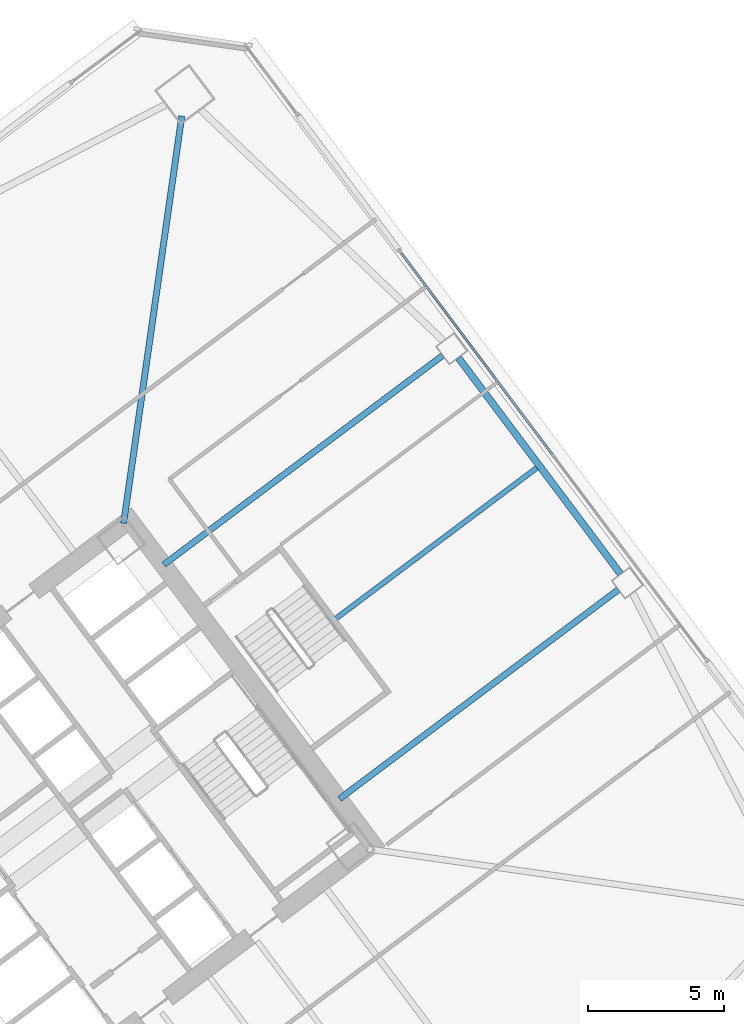
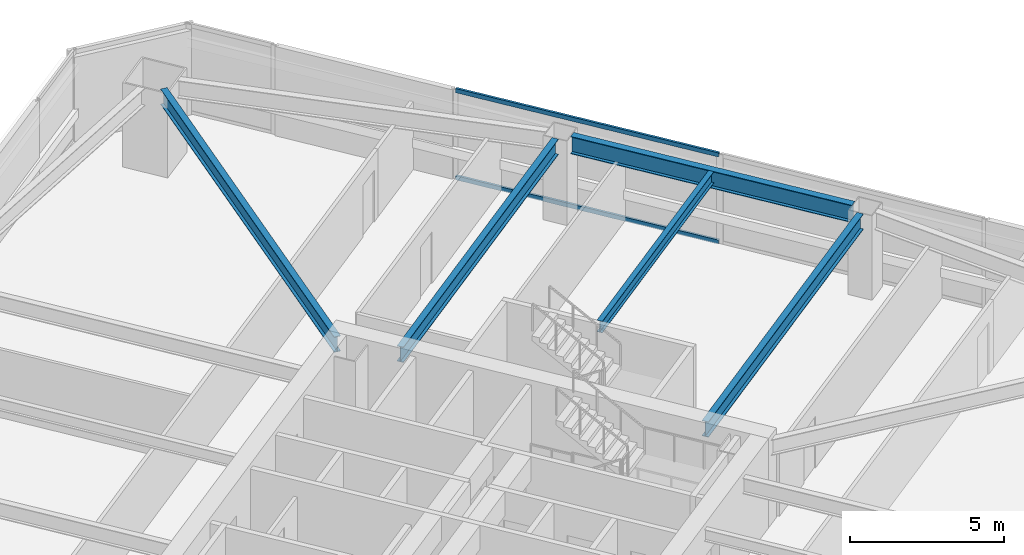
# One storey, part 34 of 51: 5 beams, 2 members, 1 element without a shape of its own.
"""IFC4 building model written with IfcOpenShell, lengths in metres."""

from ifc_helpers import new_model, si_unit, direction, frame, origin, origin_2d, place, context, subcontext, project, spatial, hollow_rectangle, i_section, extrude, material, material_profile, profile_set, type_object, element, aggregate, save


model = new_model("IFC4")

# Units and contexts
model_context = context("Model", 3, precision=1e-05, world=origin(), true_north=direction((0.0, 1.0)))
body_context = subcontext(model_context, "Body", "Model", "MODEL_VIEW")
ifc_project = project(units=[si_unit("LENGTHUNIT", "METRE"), si_unit("AREAUNIT", "SQUARE_METRE"), si_unit("VOLUMEUNIT", "CUBIC_METRE"), si_unit("PLANEANGLEUNIT", "RADIAN"), si_unit("MASSUNIT", "GRAM", prefix="KILO")], contexts=[model_context])

# Site, building, storey
site_placement = place(None, origin())
site = spatial("IfcSite", under=ifc_project, at=site_placement, CompositionType="ELEMENT")
building_placement = place(site_placement, origin())
building = spatial("IfcBuilding", under=site, at=building_placement, Name="Tashvorn Skyway Center", CompositionType="ELEMENT")
storey_placement = place(building_placement, frame((0.0, 0.0, 49.449951171875)))
storey = spatial("IfcBuildingStorey", under=building, at=storey_placement, Name="L12", CompositionType="ELEMENT", Elevation=49.449951171875)

# Beams
ifc_material_1 = material(Name="Steel ASTM A992 Grade 50", Category="steel")
ifc_material_profile_1 = material_profile(ifc_material_1, i_section(OverallWidth=0.22998046875, OverallDepth=0.616943359375, WebThickness=0.01318359375, FlangeThickness=0.022216796875, at=origin_2d()), Name="W24X94")
ifc_profile_set_1 = profile_set([ifc_material_profile_1], Name="Steel ASTM A992 Grade 50")
beam_type_1 = type_object("IfcBeamType", Name="BM-BEAM-W24X94", PredefinedType="BEAM", material=ifc_profile_set_1)
beam_1_placement = place(storey_placement, frame((117.6474609375, 57.532958984375, 3.04150390625), z_axis=(-0.141414599991, -0.989950458816, 0.0), x_axis=(0.989950458816, -0.141414599991, 0.0)))
element("IfcBeam", 1, at=beam_1_placement, inside=storey, type_object=beam_type_1, Name="Tower 2 L12 Primary Floor Girder MC-NE", PredefinedType="BEAM", context=body_context, shape_type="SweptSolid", body=[
    extrude(i_section(OverallWidth=0.22998046875, OverallDepth=0.616943359375, WebThickness=0.01318359375, FlangeThickness=0.022216796875, at=origin_2d()), origin(), (0.0, 0.0, 1.0), 15.177001953125),
])
beam_2_placement = place(storey_placement, frame((133.743896484375, 40.05810546875, 3.04150390625), z_axis=(-0.799986320265, -0.600018239213, 0.0), x_axis=(0.600018239213, -0.799986320265, 0.0)))
element("IfcBeam", 2, at=beam_2_placement, inside=storey, type_object=beam_type_1, Name="Tower 2 L12 Primary Floor Girder FC-E1", PredefinedType="BEAM", context=body_context, shape_type="SweptSolid", body=[
    extrude(i_section(OverallWidth=0.22998046875, OverallDepth=0.616943359375, WebThickness=0.01318359375, FlangeThickness=0.022216796875, at=origin_2d()), origin(), (0.0, 0.0, 1.0), 12.849853515625),
])
beam_3_placement = place(storey_placement, frame((127.263916015625, 48.697998046875, 3.04150390625), z_axis=(-0.800002279907, -0.599996960112, 0.0), x_axis=(0.599996960112, -0.800002279907, 0.0)))
element("IfcBeam", 3, at=beam_3_placement, inside=storey, type_object=beam_type_1, Name="Tower 2 L12 Primary Floor Girder FC-E2", PredefinedType="BEAM", context=body_context, shape_type="SweptSolid", body=[
    extrude(i_section(OverallWidth=0.22998046875, OverallDepth=0.616943359375, WebThickness=0.01318359375, FlangeThickness=0.022216796875, at=origin_2d()), origin(), (0.0, 0.0, 1.0), 12.85009765625),
])
ifc_material_profile_2 = material_profile(ifc_material_1, i_section(OverallWidth=0.19091796875, OverallDepth=0.4599609375, WebThickness=0.010009765625, FlangeThickness=0.01611328125, at=origin_2d()), Name="W18X55")
ifc_profile_set_2 = profile_set([ifc_material_profile_2], Name="Steel ASTM A992 Grade 50")
beam_type_2 = type_object("IfcBeamType", Name="BM-JOIST-W18X55", PredefinedType="JOIST", material=ifc_profile_set_2)
beam_4_placement = place(storey_placement, frame((123.3359375, 39.001953125, 3.1201171875), z_axis=(0.799990508532, 0.600012655082, 0.0), x_axis=(-0.600012655082, 0.799990508532, 0.0)))
element("IfcBeam", 4, at=beam_4_placement, inside=storey, type_object=beam_type_2, Name="Tower 2 L12 Secondary Composite Joist JE", PredefinedType="JOIST", context=body_context, shape_type="SweptSolid", body=[
    extrude(i_section(OverallWidth=0.19091796875, OverallDepth=0.4599609375, WebThickness=0.010009765625, FlangeThickness=0.01611328125, at=origin_2d()), origin(), (0.0, 0.0, 1.0), 9.260009765625),
])
ifc_material_profile_3 = material_profile(ifc_material_1, i_section(OverallWidth=0.256103515625, OverallDepth=0.693115234375, WebThickness=0.014404296875, FlangeThickness=0.023681640625, at=origin_2d()), Name="W27X114")
ifc_profile_set_3 = profile_set([ifc_material_profile_3], Name="Steel ASTM A992 Grade 50")
beam_type_3 = type_object("IfcBeamType", Name="BM-SPANDREL-W27X114", PredefinedType="SPANDREL", material=ifc_profile_set_3)
beam_5_placement = place(storey_placement, frame((133.827880859375, 40.64599609375, 3.003662109375), z_axis=(-0.599988234018, 0.800008824351, 0.0), x_axis=(-0.800008824351, -0.599988234018, 0.0)))
element("IfcBeam", 5, at=beam_5_placement, inside=storey, type_object=beam_type_3, Name="Tower 2 L12 Spandrel Beam 05", PredefinedType="SPANDREL", context=body_context, shape_type="SweptSolid", body=[
    extrude(i_section(OverallWidth=0.256103515625, OverallDepth=0.693115234375, WebThickness=0.014404296875, FlangeThickness=0.023681640625, at=origin_2d()), origin(), (0.0, 0.0, 1.0), 9.9599609375),
])

# Curtain wall, members
ifc_material_2 = material(Name="Thermally broken bronze-anodized aluminium 6063-T6", Category="aluminium")
curtain_wall_type = type_object("IfcCurtainWallType", Name="CW-CW-Z1", PredefinedType="NOTDEFINED", material=ifc_material_2)
curtain_wall_placement = place(storey_placement, origin())
curtain_wall = element("IfcCurtainWall", 6, at=curtain_wall_placement, inside=storey, type_object=curtain_wall_type, Name="Tower 2 L12 East Unitised Curtain Wall Glazing Group 2", PredefinedType="NOTDEFINED")
ifc_material_profile_4 = material_profile(ifc_material_2, hollow_rectangle(XDim=0.0849609375, YDim=0.1650390625, WallThickness=0.0048828125, at=origin_2d()), Name="ALU-TRAN-85x165")
ifc_profile_set_4 = profile_set([ifc_material_profile_4], Name="Thermally broken bronze-anodized aluminium 6063-T6")
member_type = type_object("IfcMemberType", Name="CWT-CW-Z1", PredefinedType="USERDEFINED", material=ifc_profile_set_4)
member_1_placement = place(storey_placement, frame((125.73095703125, 52.491943359375, 0.04248046875), z_axis=(0.600012583752, -0.799990562031, 0.0), x_axis=(0.799990562031, 0.600012583752, 0.0)))
member_1 = element("IfcMember", 7, at=member_1_placement, type_object=member_type, Name="CW-Z1 transom 1.1", ObjectType="TRANSOM", PredefinedType="USERDEFINED", context=body_context, shape_type="SweptSolid", body=[
    extrude(hollow_rectangle(XDim=0.0849609375, YDim=0.1650390625, WallThickness=0.0048828125, at=origin_2d()), origin(), (0.0, 0.0, 1.0), 9.3125),
])
member_2_placement = place(storey_placement, frame((125.73095703125, 52.491943359375, 3.507568359375), z_axis=(0.600012583752, -0.799990562031, 0.0), x_axis=(0.799990562031, 0.600012583752, 0.0)))
member_2 = element("IfcMember", 8, at=member_2_placement, type_object=member_type, Name="CW-Z1 transom 1.2", ObjectType="TRANSOM", PredefinedType="USERDEFINED", context=body_context, shape_type="SweptSolid", body=[
    extrude(hollow_rectangle(XDim=0.0849609375, YDim=0.1650390625, WallThickness=0.0048828125, at=origin_2d()), origin(), (0.0, 0.0, 1.0), 9.3125),
])
aggregate(curtain_wall, [member_1, member_2])

save(model, "model.ifc")
